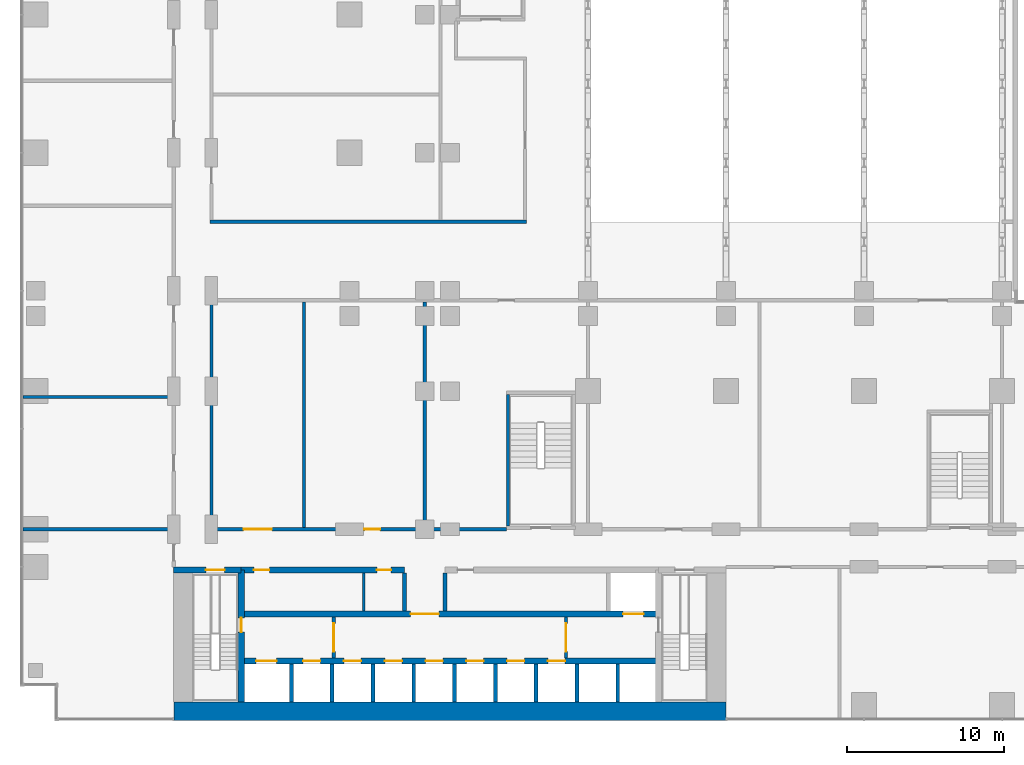
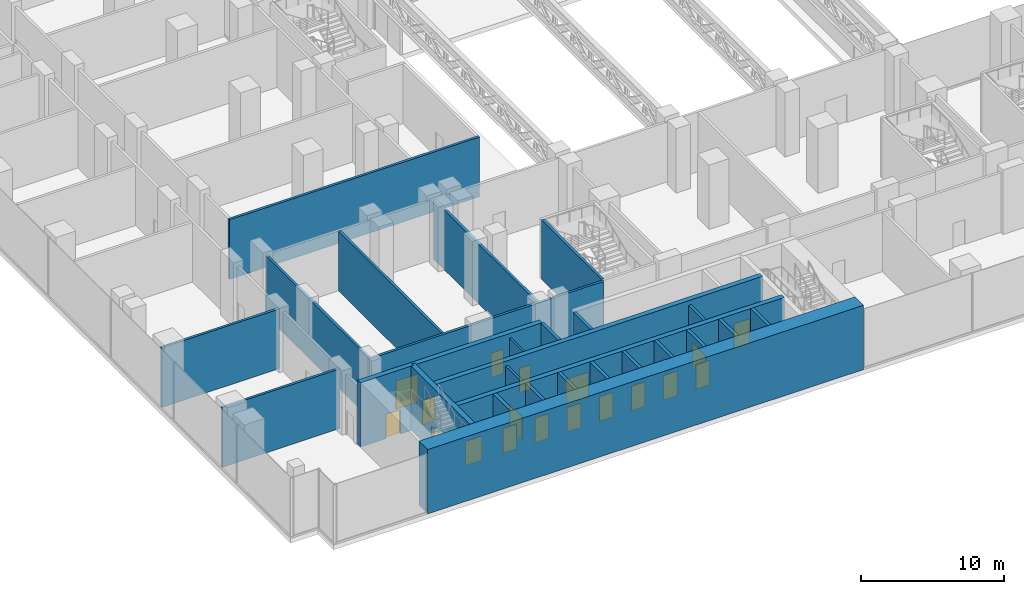
# One storey, part 18 of 30: 28 walls, 18 doors, 18 openings.
"""IFC4 building model written with IfcOpenShell, lengths in metres."""

from ifc_helpers import new_model, si_unit, direction, frame, frame_2d, origin, place, context, subcontext, project, spatial, rectangle, extrude, material, layer, layer_set, type_object, element, fill, save


model = new_model("IFC4")

# Units and contexts
model_context = context("Model", 3, precision=1e-05, world=origin(), true_north=direction((0.0, 1.0)))
body_context = subcontext(model_context, "Body", "Model", "MODEL_VIEW")
ifc_project = project(units=[si_unit("LENGTHUNIT", "METRE"), si_unit("AREAUNIT", "SQUARE_METRE"), si_unit("VOLUMEUNIT", "CUBIC_METRE"), si_unit("PLANEANGLEUNIT", "RADIAN"), si_unit("MASSUNIT", "GRAM", prefix="KILO")], contexts=[model_context])

# Site, building, storey
site_placement = place(None, origin())
site = spatial("IfcSite", under=ifc_project, at=site_placement, CompositionType="ELEMENT")
building_placement = place(site_placement, origin())
building = spatial("IfcBuilding", under=site, at=building_placement, Name="Kemantara Hotel Tower", CompositionType="ELEMENT")
storey_placement = place(building_placement, frame((0.0, 0.0, 23.5)))
storey = spatial("IfcBuildingStorey", under=building, at=storey_placement, Name="L04", CompositionType="ELEMENT", Elevation=23.5)

# Walls
ifc_material_1 = material(Name="Concrete fc 70 MPa", Category="concrete")
ifc_layer_1 = layer(ifc_material_1, 1.199951171875)
ifc_layer_set_1 = layer_set([ifc_layer_1], Name="Concrete fc 70 MPa")
wall_type_1 = type_object("IfcWallType", Name="CORE WALL 1200 FC70", PredefinedType="SHEAR", material=ifc_layer_set_1)
wall_1_placement = place(storey_placement, frame((9.800048828125, 0.60009765625, 0.0), z_axis=(0.0, 0.0, 1.0), x_axis=(1.0, 0.0, 0.0)))
element("IfcWall", 1, at=wall_1_placement, inside=storey, type_object=wall_type_1, Name="CORE WALL CW-S", PredefinedType="SHEAR", context=body_context, shape_type="SweptSolid", body=[
    extrude(rectangle(XDim=35.199951171875, YDim=1.199951171875, at=frame_2d((17.60009765625, 0.0))), origin(), (0.0, 0.0, 1.0), 5.5),
])
ifc_layer_2 = layer(ifc_material_1, 0.25)
ifc_layer_set_2 = layer_set([ifc_layer_2], Name="Concrete fc 70 MPa")
wall_type_2 = type_object("IfcWallType", Name="CORE WALL 250 FC70", PredefinedType="SHEAR", material=ifc_layer_set_2)
for number, where, z_axis, x_axis, name in (
    (2, (17.300048828125, 1.199951171875, 0.0), (0.0, 0.0, 1.0), (0.0, 1.0, 0.0), "CORE WALL CW-DS17.3"),
    (3, (19.89990234375, 1.199951171875, 0.0), (0.0, 0.0, 1.0), (0.0, 1.0, 0.0), "CORE WALL CW-DS19.9"),
    (4, (22.5, 1.199951171875, 0.0), (0.0, 0.0, 1.0), (0.0, 1.0, 0.0), "CORE WALL CW-DS22.5"),
    (5, (25.10009765625, 1.199951171875, 0.0), (0.0, 0.0, 1.0), (0.0, 1.0, 0.0), "CORE WALL CW-DS25.1"),
    (6, (27.699951171875, 1.199951171875, 0.0), (0.0, 0.0, 1.0), (0.0, 1.0, 0.0), "CORE WALL CW-DS27.7"),
    (7, (30.300048828125, 1.199951171875, 0.0), (0.0, 0.0, 1.0), (0.0, 1.0, 0.0), "CORE WALL CW-DS30.3"),
    (8, (32.89990234375, 1.199951171875, 0.0), (0.0, 0.0, 1.0), (0.0, 1.0, 0.0), "CORE WALL CW-DS32.9"),
    (9, (35.5, 1.199951171875, 0.0), (0.0, 0.0, 1.0), (0.0, 1.0, 0.0), "CORE WALL CW-DS35.5"),
    (10, (38.10009765625, 1.199951171875, 0.0), (0.0, 0.0, 1.0), (0.0, 1.0, 0.0), "CORE WALL CW-DS38.1"),
):
    element("IfcWall", number, at=place(storey_placement, frame(where, z_axis=z_axis, x_axis=x_axis)), inside=storey, type_object=wall_type_2, Name=name, PredefinedType="SHEAR", context=body_context, shape_type="SweptSolid", body=[
        extrude(rectangle(XDim=2.400146484375, YDim=0.25, at=frame_2d((1.2001953125, 0.0))), origin(), (0.0, 0.0, 1.0), 5.5),
    ])
for number, where, z_axis, x_axis, name in (
    (11, (24.5, 7.0, 0.0), (0.0, 0.0, 1.0), (0.0, 1.0, 0.0), "CORE WALL CW-DN24.5"),
    (12, (27.10009765625, 7.0, 0.0), (0.0, 0.0, 1.0), (0.0, 1.0, 0.0), "CORE WALL CW-DN27.1"),
):
    element("IfcWall", number, at=place(storey_placement, frame(where, z_axis=z_axis, x_axis=x_axis)), inside=storey, type_object=wall_type_2, Name=name, PredefinedType="SHEAR", context=body_context, shape_type="SweptSolid", body=[
        extrude(rectangle(XDim=2.39990234375, YDim=0.25, at=frame_2d((1.199951171875, 0.0))), origin(), (0.0, 0.0, 1.0), 5.5),
    ])

# Wall, opening, door
ifc_layer_3 = layer(ifc_material_1, 0.39990234375)
ifc_layer_set_3 = layer_set([ifc_layer_3], Name="Concrete fc 70 MPa")
wall_type_3 = type_object("IfcWallType", Name="CORE WALL 400 FC70", PredefinedType="SHEAR", material=ifc_layer_set_3)
wall_2_placement = place(storey_placement, frame((9.800048828125, 9.60009765625, 0.0), z_axis=(0.0, 0.0, 1.0), x_axis=(1.0, 0.0, 0.0)))
wall_2 = element("IfcWall", 13, at=wall_2_placement, inside=storey, type_object=wall_type_3, Name="CORE WALL CW-N1", PredefinedType="SHEAR", context=body_context, shape_type="SweptSolid", body=[
    extrude(rectangle(XDim=4.300048828125, YDim=0.39990234375, at=frame_2d((2.14990234375, 0.0))), origin(), (0.0, 0.0, 1.0), 5.5),
])
opening_1_placement = place(wall_2_placement, frame((2.050048828125, 0.0, 0.0)))
opening_1 = element("IfcOpeningElement", 14, at=opening_1_placement, cuts=wall_2, Name="Opening C06-ST1-C", PredefinedType="OPENING", context=body_context, shape_type="SweptSolid", body=[
    extrude(rectangle(XDim=1.199951171875, YDim=2.10009765625, at=frame_2d((0.60009765625, 1.050048828125))), frame((0.0, 0.2099609375, 0.0), z_axis=(0.0, -1.0, 0.0), x_axis=(1.0, 0.0, 0.0)), (0.0, 0.0, 1.0), 0.419921875),
])
ifc_material_2 = material(Name="Steel fire door", Category="steel")
door_type_1 = type_object("IfcDoorType", Name="Fire door FD90 1200 x 2100", OperationType="NOTDEFINED", PredefinedType="DOOR", material=ifc_material_2)
door_1_placement = place(opening_1_placement, frame((1.199951171875, 0.0, 0.0), z_axis=(0.0, 0.0, 1.0), x_axis=(-1.0, 0.0, 0.0)))
door_1 = element("IfcDoor", 15, at=door_1_placement, inside=storey, type_object=door_type_1, Name="Stair ST1 door to corridor", OperationType="SINGLE_SWING_LEFT", OverallHeight=2.10009765625, OverallWidth=1.199951171875, PredefinedType="DOOR", context=body_context, shape_type="SweptSolid", body=[
    extrude(rectangle(XDim=1.199951171875, YDim=2.10009765625, at=frame_2d((0.60009765625, 1.050048828125))), frame((0.0, 0.02490234375, 0.0), z_axis=(0.0, -1.0, 0.0), x_axis=(1.0, 0.0, 0.0)), (0.0, 0.0, 1.0), 0.050048828125),
])
fill(opening_1, door_1)

# Wall, openings, doors
wall_3_placement = place(storey_placement, frame((14.10009765625, 9.60009765625, 0.0), z_axis=(0.0, 0.0, 1.0), x_axis=(1.0, 0.0, 0.0)))
wall_3 = element("IfcWall", 16, at=wall_3_placement, inside=storey, type_object=wall_type_3, Name="CORE WALL CW-NN1", PredefinedType="SHEAR", context=body_context, shape_type="SweptSolid", body=[
    extrude(rectangle(XDim=10.39990234375, YDim=0.39990234375, at=frame_2d((5.199951171875, 0.0))), origin(), (0.0, 0.0, 1.0), 5.5),
])
opening_2_placement = place(wall_3_placement, frame((0.800048828125, 0.0, 0.0)))
opening_2 = element("IfcOpeningElement", 17, at=opening_2_placement, cuts=wall_3, Name="Opening C06-R-NW1", PredefinedType="OPENING", context=body_context, shape_type="SweptSolid", body=[
    extrude(rectangle(XDim=1.0, YDim=2.10009765625, at=frame_2d((0.5, 1.050048828125))), frame((0.0, 0.2099609375, 0.0), z_axis=(0.0, -1.0, 0.0), x_axis=(1.0, 0.0, 0.0)), (0.0, 0.0, 1.0), 0.419921875),
])
opening_3_placement = place(wall_3_placement, frame((8.64990234375, 0.0, 0.0)))
opening_3 = element("IfcOpeningElement", 18, at=opening_3_placement, cuts=wall_3, Name="Opening C06-R-NW2", PredefinedType="OPENING", context=body_context, shape_type="SweptSolid", body=[
    extrude(rectangle(XDim=0.89990234375, YDim=2.10009765625, at=frame_2d((0.449951171875, 1.050048828125))), frame((0.0, 0.2099609375, 0.0), z_axis=(0.0, -1.0, 0.0), x_axis=(1.0, 0.0, 0.0)), (0.0, 0.0, 1.0), 0.419921875),
])
door_type_2 = type_object("IfcDoorType", Name="Fire door FD30S 1000 x 2100", OperationType="NOTDEFINED", PredefinedType="DOOR", material=ifc_material_2)
door_2_placement = place(opening_2_placement, frame((1.0, 0.0, 0.0), z_axis=(0.0, 0.0, 1.0), x_axis=(-1.0, 0.0, 0.0)))
door_2 = element("IfcDoor", 19, at=door_2_placement, inside=storey, type_object=door_type_2, Name="Linen Store door", OperationType="SINGLE_SWING_RIGHT", OverallHeight=2.10009765625, OverallWidth=1.0, PredefinedType="DOOR", context=body_context, shape_type="SweptSolid", body=[
    extrude(rectangle(XDim=1.0, YDim=2.10009765625, at=frame_2d((0.5, 1.050048828125))), frame((0.0, 0.02490234375, 0.0), z_axis=(0.0, -1.0, 0.0), x_axis=(1.0, 0.0, 0.0)), (0.0, 0.0, 1.0), 0.050048828125),
])
fill(opening_2, door_2)
door_type_3 = type_object("IfcDoorType", Name="Fire door FD60 900 x 2100", OperationType="NOTDEFINED", PredefinedType="DOOR", material=ifc_material_2)
door_3_placement = place(opening_3_placement, frame((0.89990234375, 0.0, 0.0), z_axis=(0.0, 0.0, 1.0), x_axis=(-1.0, 0.0, 0.0)))
door_3 = element("IfcDoor", 20, at=door_3_placement, inside=storey, type_object=door_type_3, Name="It Equipment Room door", OperationType="SINGLE_SWING_LEFT", OverallHeight=2.10009765625, OverallWidth=0.89990234375, PredefinedType="DOOR", context=body_context, shape_type="SweptSolid", body=[
    extrude(rectangle(XDim=0.89990234375, YDim=2.10009765625, at=frame_2d((0.449951171875, 1.050048828125))), frame((0.0, 0.02490234375, 0.0), z_axis=(0.0, -1.0, 0.0), x_axis=(1.0, 0.0, 0.0)), (0.0, 0.0, 1.0), 0.050048828125),
])
fill(opening_3, door_3)

wall_4_placement = place(storey_placement, frame((14.10009765625, 3.800048828125, 0.0), z_axis=(0.0, 0.0, 1.0), x_axis=(1.0, 0.0, 0.0)))
wall_4 = element("IfcWall", 21, at=wall_4_placement, inside=storey, type_object=wall_type_3, Name="CORE WALL CW-L1", PredefinedType="SHEAR", context=body_context, shape_type="SweptSolid", body=[
    extrude(rectangle(XDim=26.599853515625, YDim=0.39990234375, at=frame_2d((13.2998046875, 0.0))), origin(), (0.0, 0.0, 1.0), 5.5),
])
opening_4_placement = place(wall_4_placement, frame((0.949951171875, 0.0, 0.0)))
opening_4 = element("IfcOpeningElement", 22, at=opening_4_placement, cuts=wall_4, Name="Opening C06-LD-FF1", PredefinedType="OPENING", context=body_context, shape_type="SweptSolid", body=[
    extrude(rectangle(XDim=1.300048828125, YDim=2.10009765625, at=frame_2d((0.64990234375, 1.050048828125))), frame((0.0, 0.2099609375, 0.0), z_axis=(0.0, -1.0, 0.0), x_axis=(1.0, 0.0, 0.0)), (0.0, 0.0, 1.0), 0.419921875),
])
opening_5_placement = place(wall_4_placement, frame((3.949951171875, 0.0, 0.0)))
opening_5 = element("IfcOpeningElement", 23, at=opening_5_placement, cuts=wall_4, Name="Opening C06-LD-SV1", PredefinedType="OPENING", context=body_context, shape_type="SweptSolid", body=[
    extrude(rectangle(XDim=1.10009765625, YDim=2.10009765625, at=frame_2d((0.550048828125, 1.050048828125))), frame((0.0, 0.2099609375, 0.0), z_axis=(0.0, -1.0, 0.0), x_axis=(1.0, 0.0, 0.0)), (0.0, 0.0, 1.0), 0.419921875),
])
opening_6_placement = place(wall_4_placement, frame((6.550048828125, 0.0, 0.0)))
opening_6 = element("IfcOpeningElement", 24, at=opening_6_placement, cuts=wall_4, Name="Opening C06-LD-SV2", PredefinedType="OPENING", context=body_context, shape_type="SweptSolid", body=[
    extrude(rectangle(XDim=1.10009765625, YDim=2.10009765625, at=frame_2d((0.550048828125, 1.050048828125))), frame((0.0, 0.2099609375, 0.0), z_axis=(0.0, -1.0, 0.0), x_axis=(1.0, 0.0, 0.0)), (0.0, 0.0, 1.0), 0.419921875),
])
opening_7_placement = place(wall_4_placement, frame((9.14990234375, 0.0, 0.0)))
opening_7 = element("IfcOpeningElement", 25, at=opening_7_placement, cuts=wall_4, Name="Opening C06-LD-SV3", PredefinedType="OPENING", context=body_context, shape_type="SweptSolid", body=[
    extrude(rectangle(XDim=1.10009765625, YDim=2.10009765625, at=frame_2d((0.550048828125, 1.050048828125))), frame((0.0, 0.2099609375, 0.0), z_axis=(0.0, -1.0, 0.0), x_axis=(1.0, 0.0, 0.0)), (0.0, 0.0, 1.0), 0.419921875),
])
opening_8_placement = place(wall_4_placement, frame((11.75, 0.0, 0.0)))
opening_8 = element("IfcOpeningElement", 26, at=opening_8_placement, cuts=wall_4, Name="Opening C06-LD-LR1", PredefinedType="OPENING", context=body_context, shape_type="SweptSolid", body=[
    extrude(rectangle(XDim=1.10009765625, YDim=2.10009765625, at=frame_2d((0.550048828125, 1.050048828125))), frame((0.0, 0.2099609375, 0.0), z_axis=(0.0, -1.0, 0.0), x_axis=(1.0, 0.0, 0.0)), (0.0, 0.0, 1.0), 0.419921875),
])
opening_9_placement = place(wall_4_placement, frame((14.35009765625, 0.0, 0.0)))
opening_9 = element("IfcOpeningElement", 27, at=opening_9_placement, cuts=wall_4, Name="Opening C06-LD-LR2", PredefinedType="OPENING", context=body_context, shape_type="SweptSolid", body=[
    extrude(rectangle(XDim=1.10009765625, YDim=2.10009765625, at=frame_2d((0.550048828125, 1.050048828125))), frame((0.0, 0.2099609375, 0.0), z_axis=(0.0, -1.0, 0.0), x_axis=(1.0, 0.0, 0.0)), (0.0, 0.0, 1.0), 0.419921875),
])
opening_10_placement = place(wall_4_placement, frame((16.949951171875, 0.0, 0.0)))
opening_10 = element("IfcOpeningElement", 28, at=opening_10_placement, cuts=wall_4, Name="Opening C06-LD-LR3", PredefinedType="OPENING", context=body_context, shape_type="SweptSolid", body=[
    extrude(rectangle(XDim=1.10009765625, YDim=2.10009765625, at=frame_2d((0.550048828125, 1.050048828125))), frame((0.0, 0.2099609375, 0.0), z_axis=(0.0, -1.0, 0.0), x_axis=(1.0, 0.0, 0.0)), (0.0, 0.0, 1.0), 0.419921875),
])
opening_11_placement = place(wall_4_placement, frame((19.550048828125, 0.0, 0.0)))
opening_11 = element("IfcOpeningElement", 29, at=opening_11_placement, cuts=wall_4, Name="Opening C06-LD-LR4", PredefinedType="OPENING", context=body_context, shape_type="SweptSolid", body=[
    extrude(rectangle(XDim=1.10009765625, YDim=2.10009765625, at=frame_2d((0.550048828125, 1.050048828125))), frame((0.0, 0.2099609375, 0.0), z_axis=(0.0, -1.0, 0.0), x_axis=(1.0, 0.0, 0.0)), (0.0, 0.0, 1.0), 0.419921875),
])
ifc_material_3 = material(Name="Stainless steel lift door", Category="steel")
door_type_4 = type_object("IfcDoorType", Name="Lift landing door 1100 x 2100 FD60", OperationType="DOUBLE_DOOR_SLIDING", PredefinedType="DOOR", material=ifc_material_3)
door_4_placement = place(opening_5_placement, origin())
door_4 = element("IfcDoor", 30, at=door_4_placement, inside=storey, type_object=door_type_4, Name="Lift SV1 landing door", OperationType="DOUBLE_DOOR_SLIDING", OverallHeight=2.10009765625, OverallWidth=1.10009765625, PredefinedType="DOOR", context=body_context, shape_type="SweptSolid", body=[
    extrude(rectangle(XDim=1.10009765625, YDim=2.10009765625, at=frame_2d((0.550048828125, 1.050048828125))), frame((0.0, 0.02490234375, 0.0), z_axis=(0.0, -1.0, 0.0), x_axis=(1.0, 0.0, 0.0)), (0.0, 0.0, 1.0), 0.050048828125),
])
fill(opening_5, door_4)
door_5_placement = place(opening_6_placement, origin())
door_5 = element("IfcDoor", 31, at=door_5_placement, inside=storey, type_object=door_type_4, Name="Lift SV2 landing door", OperationType="DOUBLE_DOOR_SLIDING", OverallHeight=2.10009765625, OverallWidth=1.10009765625, PredefinedType="DOOR", context=body_context, shape_type="SweptSolid", body=[
    extrude(rectangle(XDim=1.10009765625, YDim=2.10009765625, at=frame_2d((0.550048828125, 1.050048828125))), frame((0.0, 0.02490234375, 0.0), z_axis=(0.0, -1.0, 0.0), x_axis=(1.0, 0.0, 0.0)), (0.0, 0.0, 1.0), 0.050048828125),
])
fill(opening_6, door_5)
door_6_placement = place(opening_7_placement, origin())
door_6 = element("IfcDoor", 32, at=door_6_placement, inside=storey, type_object=door_type_4, Name="Lift SV3 landing door", OperationType="DOUBLE_DOOR_SLIDING", OverallHeight=2.10009765625, OverallWidth=1.10009765625, PredefinedType="DOOR", context=body_context, shape_type="SweptSolid", body=[
    extrude(rectangle(XDim=1.10009765625, YDim=2.10009765625, at=frame_2d((0.550048828125, 1.050048828125))), frame((0.0, 0.02490234375, 0.0), z_axis=(0.0, -1.0, 0.0), x_axis=(1.0, 0.0, 0.0)), (0.0, 0.0, 1.0), 0.050048828125),
])
fill(opening_7, door_6)
door_7_placement = place(opening_8_placement, origin())
door_7 = element("IfcDoor", 33, at=door_7_placement, inside=storey, type_object=door_type_4, Name="Lift LR1 landing door", OperationType="DOUBLE_DOOR_SLIDING", OverallHeight=2.10009765625, OverallWidth=1.10009765625, PredefinedType="DOOR", context=body_context, shape_type="SweptSolid", body=[
    extrude(rectangle(XDim=1.10009765625, YDim=2.10009765625, at=frame_2d((0.550048828125, 1.050048828125))), frame((0.0, 0.02490234375, 0.0), z_axis=(0.0, -1.0, 0.0), x_axis=(1.0, 0.0, 0.0)), (0.0, 0.0, 1.0), 0.050048828125),
])
fill(opening_8, door_7)
door_8_placement = place(opening_9_placement, origin())
door_8 = element("IfcDoor", 34, at=door_8_placement, inside=storey, type_object=door_type_4, Name="Lift LR2 landing door", OperationType="DOUBLE_DOOR_SLIDING", OverallHeight=2.10009765625, OverallWidth=1.10009765625, PredefinedType="DOOR", context=body_context, shape_type="SweptSolid", body=[
    extrude(rectangle(XDim=1.10009765625, YDim=2.10009765625, at=frame_2d((0.550048828125, 1.050048828125))), frame((0.0, 0.02490234375, 0.0), z_axis=(0.0, -1.0, 0.0), x_axis=(1.0, 0.0, 0.0)), (0.0, 0.0, 1.0), 0.050048828125),
])
fill(opening_9, door_8)
door_9_placement = place(opening_10_placement, origin())
door_9 = element("IfcDoor", 35, at=door_9_placement, inside=storey, type_object=door_type_4, Name="Lift LR3 landing door", OperationType="DOUBLE_DOOR_SLIDING", OverallHeight=2.10009765625, OverallWidth=1.10009765625, PredefinedType="DOOR", context=body_context, shape_type="SweptSolid", body=[
    extrude(rectangle(XDim=1.10009765625, YDim=2.10009765625, at=frame_2d((0.550048828125, 1.050048828125))), frame((0.0, 0.02490234375, 0.0), z_axis=(0.0, -1.0, 0.0), x_axis=(1.0, 0.0, 0.0)), (0.0, 0.0, 1.0), 0.050048828125),
])
fill(opening_10, door_9)
door_10_placement = place(opening_11_placement, origin())
door_10 = element("IfcDoor", 36, at=door_10_placement, inside=storey, type_object=door_type_4, Name="Lift LR4 landing door", OperationType="DOUBLE_DOOR_SLIDING", OverallHeight=2.10009765625, OverallWidth=1.10009765625, PredefinedType="DOOR", context=body_context, shape_type="SweptSolid", body=[
    extrude(rectangle(XDim=1.10009765625, YDim=2.10009765625, at=frame_2d((0.550048828125, 1.050048828125))), frame((0.0, 0.02490234375, 0.0), z_axis=(0.0, -1.0, 0.0), x_axis=(1.0, 0.0, 0.0)), (0.0, 0.0, 1.0), 0.050048828125),
])
fill(opening_11, door_10)
door_type_5 = type_object("IfcDoorType", Name="Lift landing door 1300 x 2100 FD90", OperationType="DOUBLE_DOOR_SLIDING", PredefinedType="DOOR", material=ifc_material_3)
door_11_placement = place(opening_4_placement, origin())
door_11 = element("IfcDoor", 37, at=door_11_placement, inside=storey, type_object=door_type_5, Name="Lift FF1 landing door", OperationType="DOUBLE_DOOR_SLIDING", OverallHeight=2.10009765625, OverallWidth=1.300048828125, PredefinedType="DOOR", context=body_context, shape_type="SweptSolid", body=[
    extrude(rectangle(XDim=1.300048828125, YDim=2.10009765625, at=frame_2d((0.64990234375, 1.050048828125))), frame((0.0, 0.02490234375, 0.0), z_axis=(0.0, -1.0, 0.0), x_axis=(1.0, 0.0, 0.0)), (0.0, 0.0, 1.0), 0.050048828125),
])
fill(opening_4, door_11)

wall_5_placement = place(storey_placement, frame((14.10009765625, 6.800048828125, 0.0), z_axis=(0.0, 0.0, 1.0), x_axis=(1.0, 0.0, 0.0)))
wall_5 = element("IfcWall", 38, at=wall_5_placement, inside=storey, type_object=wall_type_3, Name="CORE WALL CW-L2", PredefinedType="SHEAR", context=body_context, shape_type="SweptSolid", body=[
    extrude(rectangle(XDim=26.599853515625, YDim=0.39990234375, at=frame_2d((13.2998046875, 0.0))), origin(), (0.0, 0.0, 1.0), 5.5),
])
opening_12_placement = place(wall_5_placement, frame((10.800048828125, 0.0, 0.0)))
opening_12 = element("IfcOpeningElement", 39, at=opening_12_placement, cuts=wall_5, Name="Opening C06-VL", PredefinedType="OPENING", context=body_context, shape_type="SweptSolid", body=[
    extrude(rectangle(XDim=1.800048828125, YDim=2.10009765625, at=frame_2d((0.89990234375, 1.050048828125))), frame((0.0, 0.2099609375, 0.0), z_axis=(0.0, -1.0, 0.0), x_axis=(1.0, 0.0, 0.0)), (0.0, 0.0, 1.0), 0.419921875),
])
opening_13_placement = place(wall_5_placement, frame((24.35009765625, 0.0, 0.0)))
opening_13 = element("IfcOpeningElement", 40, at=opening_13_placement, cuts=wall_5, Name="Opening C06-LD-FF2", PredefinedType="OPENING", context=body_context, shape_type="SweptSolid", body=[
    extrude(rectangle(XDim=1.300048828125, YDim=2.10009765625, at=frame_2d((0.64990234375, 1.050048828125))), frame((0.0, 0.2099609375, 0.0), z_axis=(0.0, -1.0, 0.0), x_axis=(1.0, 0.0, 0.0)), (0.0, 0.0, 1.0), 0.419921875),
])
door_type_6 = type_object("IfcDoorType", Name="Fire door pair FD60 1800 x 2100", OperationType="DOUBLE_DOOR_SINGLE_SWING", PredefinedType="DOOR", material=ifc_material_2)
door_12_placement = place(opening_12_placement, frame((1.800048828125, 0.0, 0.0), z_axis=(0.0, 0.0, 1.0), x_axis=(-1.0, 0.0, 0.0)))
door_12 = element("IfcDoor", 41, at=door_12_placement, inside=storey, type_object=door_type_6, Name="Lift lobby entry door", OperationType="DOUBLE_DOOR_SINGLE_SWING", OverallHeight=2.10009765625, OverallWidth=1.800048828125, PredefinedType="DOOR", context=body_context, shape_type="SweptSolid", body=[
    extrude(rectangle(XDim=1.800048828125, YDim=2.10009765625, at=frame_2d((0.89990234375, 1.050048828125))), frame((0.0, 0.02490234375, 0.0), z_axis=(0.0, -1.0, 0.0), x_axis=(1.0, 0.0, 0.0)), (0.0, 0.0, 1.0), 0.050048828125),
])
fill(opening_12, door_12)
door_13_placement = place(opening_13_placement, origin())
door_13 = element("IfcDoor", 42, at=door_13_placement, inside=storey, type_object=door_type_5, Name="Lift FF2 landing door", OperationType="DOUBLE_DOOR_SLIDING", OverallHeight=2.10009765625, OverallWidth=1.300048828125, PredefinedType="DOOR", context=body_context, shape_type="SweptSolid", body=[
    extrude(rectangle(XDim=1.300048828125, YDim=2.10009765625, at=frame_2d((0.64990234375, 1.050048828125))), frame((0.0, 0.02490234375, 0.0), z_axis=(0.0, -1.0, 0.0), x_axis=(1.0, 0.0, 0.0)), (0.0, 0.0, 1.0), 0.050048828125),
])
fill(opening_13, door_13)

# Wall, opening, door
wall_6_placement = place(storey_placement, frame((14.10009765625, 1.199951171875, 0.0), z_axis=(0.0, 0.0, 1.0), x_axis=(0.0, 1.0, 0.0)))
wall_6 = element("IfcWall", 43, at=wall_6_placement, inside=storey, type_object=wall_type_3, Name="CORE WALL CW-ST1E", PredefinedType="SHEAR", context=body_context, shape_type="SweptSolid", body=[
    extrude(rectangle(XDim=8.400146484375, YDim=0.39990234375, at=frame_2d((4.2001953125, 0.0))), origin(), (0.0, 0.0, 1.0), 5.5),
])
opening_14_placement = place(wall_6_placement, frame((4.449951171875, 0.0, 0.0)))
opening_14 = element("IfcOpeningElement", 44, at=opening_14_placement, cuts=wall_6, Name="Opening C06-ST1-F", PredefinedType="OPENING", context=body_context, shape_type="SweptSolid", body=[
    extrude(rectangle(XDim=0.89990234375, YDim=2.10009765625, at=frame_2d((0.449951171875, 1.050048828125))), frame((0.0, 0.2099609375, 0.0), z_axis=(0.0, -1.0, 0.0), x_axis=(1.0, 0.0, 0.0)), (0.0, 0.0, 1.0), 0.419921875),
])
door_type_7 = type_object("IfcDoorType", Name="Fire door FD90 900 x 2100", OperationType="NOTDEFINED", PredefinedType="DOOR", material=ifc_material_2)
door_14_placement = place(opening_14_placement, origin())
door_14 = element("IfcDoor", 45, at=door_14_placement, inside=storey, type_object=door_type_7, Name="Stair ST1 door to firefighting lobby", OperationType="SINGLE_SWING_RIGHT", OverallHeight=2.10009765625, OverallWidth=0.89990234375, PredefinedType="DOOR", context=body_context, shape_type="SweptSolid", body=[
    extrude(rectangle(XDim=0.89990234375, YDim=2.10009765625, at=frame_2d((0.449951171875, 1.050048828125))), frame((0.0, 0.02490234375, 0.0), z_axis=(0.0, -1.0, 0.0), x_axis=(1.0, 0.0, 0.0)), (0.0, 0.0, 1.0), 0.050048828125),
])
fill(opening_14, door_14)

# Walls
ifc_material_4 = material(Name="Concrete fc 40 MPa", Category="concrete")
ifc_layer_4 = layer(ifc_material_4, 0.199951171875)
ifc_layer_set_4 = layer_set([ifc_layer_4], Name="Concrete fc 40 MPa")
wall_type_4 = type_object("IfcWallType", Name="Concrete stair wall 200 mm", PredefinedType="SHEAR", material=ifc_layer_set_4)
wall_7_placement = place(storey_placement, frame((31.10009765625, 12.39990234375, 0.0), z_axis=(0.0, 0.0, 1.0), x_axis=(0.0, 1.0, 0.0)))
element("IfcWall", 46, at=wall_7_placement, inside=storey, type_object=wall_type_4, Name="Stair PS3 enclosure wall W", PredefinedType="SHEAR", context=body_context, shape_type="SweptSolid", body=[
    extrude(rectangle(XDim=8.400146484375, YDim=0.199951171875, at=frame_2d((4.2001953125, 0.0))), origin(), (0.0, 0.0, 1.0), 5.10009765625),
])
ifc_material_5 = material(Name="Clay brick masonry", Category="masonry")
ifc_layer_5 = layer(ifc_material_5, 0.199951171875)
ifc_layer_set_5 = layer_set([ifc_layer_5], Name="Clay brick masonry")
wall_type_5 = type_object("IfcWallType", Name="FIRE-RATED CLAY BRICK WALL 200 EI 120", PredefinedType="PARTITIONING", material=ifc_layer_set_5)
wall_8_placement = place(storey_placement, frame((0.199951171875, 12.199951171875, 0.0), z_axis=(0.0, 0.0, 1.0), x_axis=(1.0, 0.0, 0.0)))
element("IfcWall", 47, at=wall_8_placement, inside=storey, type_object=wall_type_5, Name="FIRE WALL", PredefinedType="PARTITIONING", context=body_context, shape_type="SweptSolid", body=[
    extrude(rectangle(XDim=9.5, YDim=0.199951171875, at=frame_2d((4.75, 0.0))), origin(), (0.0, 0.0, 1.0), 5.10009765625),
])

# Wall, openings, doors
ifc_material_6 = material(Name="Fire-rated gypsum board partition")
ifc_layer_6 = layer(ifc_material_6, 0.199951171875)
ifc_layer_set_6 = layer_set([ifc_layer_6], Name="Fire-rated gypsum board partition")
wall_type_6 = type_object("IfcWallType", Name="FIRE-RATED GYPSUM PARTITION 200 EI 60", PredefinedType="PARTITIONING", material=ifc_layer_set_6)
wall_9_placement = place(storey_placement, frame((12.10009765625, 12.199951171875, 0.0), z_axis=(0.0, 0.0, 1.0), x_axis=(1.0, 0.0, 0.0)))
wall_9 = element("IfcWall", 48, at=wall_9_placement, inside=storey, type_object=wall_type_6, Name="FIRE-RATED PARTITION", PredefinedType="PARTITIONING", context=body_context, shape_type="SweptSolid", body=[
    extrude(rectangle(XDim=18.89990234375, YDim=0.199951171875, at=frame_2d((9.449951171875, 0.0))), origin(), (0.0, 0.0, 1.0), 5.10009765625),
])
opening_15_placement = place(wall_9_placement, frame((2.155029296875, 0.0, 0.0)))
opening_15 = element("IfcOpeningElement", 49, at=opening_15_placement, cuts=wall_9, Name="Opening L04-B022", PredefinedType="OPENING", context=body_context, shape_type="SweptSolid", body=[
    extrude(rectangle(XDim=1.800048828125, YDim=2.39990234375, at=frame_2d((0.89990234375, 1.199951171875))), frame((0.0, 0.10986328125, 0.0), z_axis=(0.0, -1.0, 0.0), x_axis=(1.0, 0.0, 0.0)), (0.0, 0.0, 1.0), 0.219970703125),
])
opening_16_placement = place(wall_9_placement, frame((9.85498046875, 0.0, 0.0)))
opening_16 = element("IfcOpeningElement", 50, at=opening_16_placement, cuts=wall_9, Name="Opening L04-B023", PredefinedType="OPENING", context=body_context, shape_type="SweptSolid", body=[
    extrude(rectangle(XDim=1.0, YDim=2.10009765625, at=frame_2d((0.5, 1.050048828125))), frame((0.0, 0.10986328125, 0.0), z_axis=(0.0, -1.0, 0.0), x_axis=(1.0, 0.0, 0.0)), (0.0, 0.0, 1.0), 0.219970703125),
])
ifc_material_7 = material(Name="Toughened glass door leaf", Category="glass")
door_type_8 = type_object("IfcDoorType", Name="GLAZED DOUBLE DOOR 1800 X 2400", OperationType="DOUBLE_DOOR_SINGLE_SWING", PredefinedType="DOOR", material=ifc_material_7)
door_15_placement = place(opening_15_placement, frame((1.800048828125, 0.0, 0.0), z_axis=(0.0, 0.0, 1.0), x_axis=(-1.0, 0.0, 0.0)))
door_15 = element("IfcDoor", 51, at=door_15_placement, inside=storey, type_object=door_type_8, Name="GLAZED DOUBLE DOOR", OperationType="DOUBLE_DOOR_SINGLE_SWING", OverallHeight=2.39990234375, OverallWidth=1.800048828125, PredefinedType="DOOR", context=body_context, shape_type="SweptSolid", body=[
    extrude(rectangle(XDim=1.800048828125, YDim=2.39990234375, at=frame_2d((0.89990234375, 1.199951171875))), frame((0.0, 0.02490234375, 0.0), z_axis=(0.0, -1.0, 0.0), x_axis=(1.0, 0.0, 0.0)), (0.0, 0.0, 1.0), 0.050048828125),
])
fill(opening_15, door_15)
ifc_material_8 = material(Name="Timber veneer door leaf", Category="wood")
door_type_9 = type_object("IfcDoorType", Name="SINGLE LEAF TIMBER DOOR 1000 X 2100", OperationType="SINGLE_SWING_LEFT", PredefinedType="DOOR", material=ifc_material_8)
door_16_placement = place(opening_16_placement, origin())
door_16 = element("IfcDoor", 52, at=door_16_placement, inside=storey, type_object=door_type_9, Name="SINGLE LEAF TIMBER DOOR", OperationType="SINGLE_SWING_RIGHT", OverallHeight=2.10009765625, OverallWidth=1.0, PredefinedType="DOOR", context=body_context, shape_type="SweptSolid", body=[
    extrude(rectangle(XDim=1.0, YDim=2.10009765625, at=frame_2d((0.5, 1.050048828125))), frame((0.0, 0.02490234375, 0.0), z_axis=(0.0, -1.0, 0.0), x_axis=(1.0, 0.0, 0.0)), (0.0, 0.0, 1.0), 0.050048828125),
])
fill(opening_16, door_16)

# Walls
wall_10_placement = place(storey_placement, frame((12.199951171875, 12.300048828125, 0.0), z_axis=(0.0, 0.0, 1.0), x_axis=(0.0, 1.0, 0.0)))
element("IfcWall", 53, at=wall_10_placement, inside=storey, type_object=wall_type_6, Name="FIRE-RATED PARTITION", PredefinedType="PARTITIONING", context=body_context, shape_type="SweptSolid", body=[
    extrude(rectangle(XDim=14.39990234375, YDim=0.199951171875, at=frame_2d((7.199951171875, 0.0))), origin(), (0.0, 0.0, 1.0), 5.10009765625),
])
ifc_material_9 = material(Name="Gypsum board partition")
ifc_layer_7 = layer(ifc_material_9, 0.199951171875)
ifc_layer_set_7 = layer_set([ifc_layer_7], Name="Gypsum board partition")
wall_type_7 = type_object("IfcWallType", Name="GYPSUM BOARD PARTITION 200", PredefinedType="PARTITIONING", material=ifc_layer_set_7)
wall_11_placement = place(storey_placement, frame((12.10009765625, 31.800048828125, 0.0), z_axis=(0.0, 0.0, 1.0), x_axis=(1.0, 0.0, 0.0)))
element("IfcWall", 54, at=wall_11_placement, inside=storey, type_object=wall_type_7, Name="PARTITION", PredefinedType="PARTITIONING", context=body_context, shape_type="SweptSolid", body=[
    extrude(rectangle(XDim=20.199951171875, YDim=0.199951171875, at=frame_2d((10.10009765625, 0.0))), origin(), (0.0, 0.0, 1.0), 5.10009765625),
])
wall_12_placement = place(storey_placement, frame((0.199951171875, 20.639892578125, 0.0), z_axis=(0.0, 0.0, 1.0), x_axis=(1.0, 0.0, 0.0)))
element("IfcWall", 55, at=wall_12_placement, inside=storey, type_object=wall_type_7, Name="PARTITION", PredefinedType="PARTITIONING", context=body_context, shape_type="SweptSolid", body=[
    extrude(rectangle(XDim=9.5, YDim=0.199951171875, at=frame_2d((4.75, 0.0))), origin(), (0.0, 0.0, 1.0), 5.10009765625),
])
for number, where, z_axis, x_axis, name in (
    (56, (18.110107421875, 12.300048828125, 0.0), (0.0, 0.0, 1.0), (0.0, 1.0, 0.0), "PARTITION"),
    (57, (25.800048828125, 12.300048828125, 0.0), (0.0, 0.0, 1.0), (0.0, 1.0, 0.0), "PARTITION"),
):
    element("IfcWall", number, at=place(storey_placement, frame(where, z_axis=z_axis, x_axis=x_axis)), inside=storey, type_object=wall_type_7, Name=name, PredefinedType="PARTITIONING", context=body_context, shape_type="SweptSolid", body=[
        extrude(rectangle(XDim=14.39990234375, YDim=0.199951171875, at=frame_2d((7.199951171875, 0.0))), origin(), (0.0, 0.0, 1.0), 5.10009765625),
    ])
ifc_layer_8 = layer(ifc_material_9, 0.14990234375)
ifc_layer_set_8 = layer_set([ifc_layer_8], Name="Gypsum board partition")
wall_type_8 = type_object("IfcWallType", Name="Gypsum board partition 150 mm", PredefinedType="PARTITIONING", material=ifc_layer_set_8)
wall_13_placement = place(storey_placement, frame((21.89990234375, 7.0, 0.0), z_axis=(0.0, 0.0, 1.0), x_axis=(0.0, 1.0, 0.0)))
element("IfcWall", 58, at=wall_13_placement, inside=storey, type_object=wall_type_8, Name="Core room partition", PredefinedType="PARTITIONING", context=body_context, shape_type="SweptSolid", body=[
    extrude(rectangle(XDim=2.39990234375, YDim=0.14990234375, at=frame_2d((1.199951171875, 0.0))), origin(), (0.0, 0.0, 1.0), 5.10009765625),
])

# Wall, opening, door
ifc_material_10 = material(Name="Gypsum board shaft wall")
ifc_layer_9 = layer(ifc_material_10, 0.199951171875)
ifc_layer_set_9 = layer_set([ifc_layer_9], Name="Gypsum board shaft wall")
wall_type_9 = type_object("IfcWallType", Name="Gypsum board shaft wall 200 mm", PredefinedType="PARTITIONING", material=ifc_layer_set_9)
wall_14_placement = place(storey_placement, frame((20.0, 4.0, 0.0), z_axis=(0.0, 0.0, 1.0), x_axis=(0.0, 1.0, 0.0)))
wall_14 = element("IfcWall", 59, at=wall_14_placement, inside=storey, type_object=wall_type_9, Name="Firefighting lobby partition west", PredefinedType="PARTITIONING", context=body_context, shape_type="SweptSolid", body=[
    extrude(rectangle(XDim=2.60009765625, YDim=0.199951171875, at=frame_2d((1.300048828125, 0.0))), origin(), (0.0, 0.0, 1.0), 5.10009765625),
])
opening_17_placement = place(wall_14_placement, frame((0.39990234375, 0.0, 0.0)))
opening_17 = element("IfcOpeningElement", 60, at=opening_17_placement, cuts=wall_14, Name="Opening C06-FFW", PredefinedType="OPENING", context=body_context, shape_type="SweptSolid", body=[
    extrude(rectangle(XDim=1.800048828125, YDim=2.10009765625, at=frame_2d((0.89990234375, 1.050048828125))), frame((0.0, 0.10986328125, 0.0), z_axis=(0.0, -1.0, 0.0), x_axis=(1.0, 0.0, 0.0)), (0.0, 0.0, 1.0), 0.219970703125),
])
door_17_placement = place(opening_17_placement, origin())
door_17 = element("IfcDoor", 61, at=door_17_placement, inside=storey, type_object=door_type_6, Name="Firefighting lobby door west", OperationType="DOUBLE_DOOR_SINGLE_SWING", OverallHeight=2.10009765625, OverallWidth=1.800048828125, PredefinedType="DOOR", context=body_context, shape_type="SweptSolid", body=[
    extrude(rectangle(XDim=1.800048828125, YDim=2.10009765625, at=frame_2d((0.89990234375, 1.050048828125))), frame((0.0, 0.02490234375, 0.0), z_axis=(0.0, -1.0, 0.0), x_axis=(1.0, 0.0, 0.0)), (0.0, 0.0, 1.0), 0.050048828125),
])
fill(opening_17, door_17)

wall_15_placement = place(storey_placement, frame((34.800048828125, 4.0, 0.0), z_axis=(0.0, 0.0, 1.0), x_axis=(0.0, 1.0, 0.0)))
wall_15 = element("IfcWall", 62, at=wall_15_placement, inside=storey, type_object=wall_type_9, Name="Firefighting lobby partition east", PredefinedType="PARTITIONING", context=body_context, shape_type="SweptSolid", body=[
    extrude(rectangle(XDim=2.60009765625, YDim=0.199951171875, at=frame_2d((1.300048828125, 0.0))), origin(), (0.0, 0.0, 1.0), 5.10009765625),
])
opening_18_placement = place(wall_15_placement, frame((0.39990234375, 0.0, 0.0)))
opening_18 = element("IfcOpeningElement", 63, at=opening_18_placement, cuts=wall_15, Name="Opening C06-FFE", PredefinedType="OPENING", context=body_context, shape_type="SweptSolid", body=[
    extrude(rectangle(XDim=1.800048828125, YDim=2.10009765625, at=frame_2d((0.89990234375, 1.050048828125))), frame((0.0, 0.10986328125, 0.0), z_axis=(0.0, -1.0, 0.0), x_axis=(1.0, 0.0, 0.0)), (0.0, 0.0, 1.0), 0.219970703125),
])
door_18_placement = place(opening_18_placement, frame((1.800048828125, 0.0, 0.0), z_axis=(0.0, 0.0, 1.0), x_axis=(-1.0, 0.0, 0.0)))
door_18 = element("IfcDoor", 64, at=door_18_placement, inside=storey, type_object=door_type_6, Name="Firefighting lobby door east", OperationType="DOUBLE_DOOR_SINGLE_SWING", OverallHeight=2.10009765625, OverallWidth=1.800048828125, PredefinedType="DOOR", context=body_context, shape_type="SweptSolid", body=[
    extrude(rectangle(XDim=1.800048828125, YDim=2.10009765625, at=frame_2d((0.89990234375, 1.050048828125))), frame((0.0, 0.02490234375, 0.0), z_axis=(0.0, -1.0, 0.0), x_axis=(1.0, 0.0, 0.0)), (0.0, 0.0, 1.0), 0.050048828125),
])
fill(opening_18, door_18)

save(model, "model.ifc")
